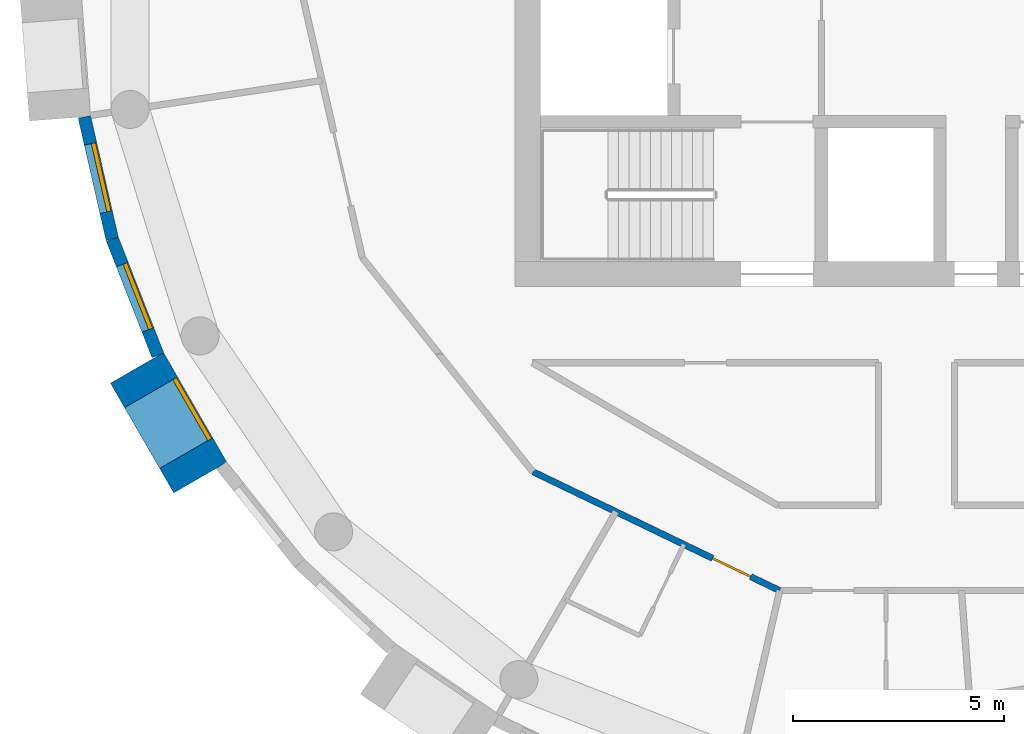
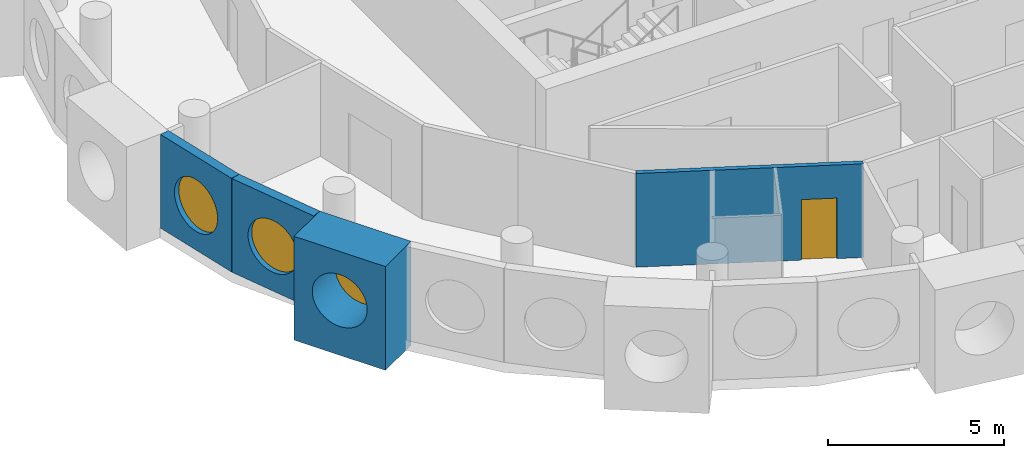
# One storey, part 2 of 13: 4 walls, 3 windows, 1 door, 4 openings.
"""IFC4 building model written with IfcOpenShell, lengths in metres."""

from ifc_helpers import new_model, si_unit, direction, frame, frame_2d, origin, origin_2d, place, context, subcontext, project, spatial, rectangle, circle, extrude, material, layer, layer_set, type_object, element, fill, save


model = new_model("IFC4")

# Units and contexts
model_context = context("Model", 3, precision=1e-05, world=origin(), true_north=direction((0.0, 1.0)))
body_context = subcontext(model_context, "Body", "Model", "MODEL_VIEW")
ifc_project = project(units=[si_unit("LENGTHUNIT", "METRE"), si_unit("AREAUNIT", "SQUARE_METRE"), si_unit("VOLUMEUNIT", "CUBIC_METRE"), si_unit("PLANEANGLEUNIT", "RADIAN"), si_unit("MASSUNIT", "GRAM", prefix="KILO")], contexts=[model_context])

# Site, building, storey
site_placement = place(None, origin())
site = spatial("IfcSite", under=ifc_project, at=site_placement, CompositionType="ELEMENT")
building_placement = place(site_placement, origin())
building = spatial("IfcBuilding", under=site, at=building_placement, Name="Tracery Tower", CompositionType="ELEMENT")
storey_placement = place(building_placement, frame((0.0, 0.0, 319.800048828125)))
storey = spatial("IfcBuildingStorey", under=building, at=storey_placement, Name="L83", CompositionType="ELEMENT", Elevation=319.800048828125)

# Wall, opening, window
ifc_material_1 = material(Name="Precast concrete C50/60", Category="concrete")
ifc_layer_1 = layer(ifc_material_1, 1.449951171875)
ifc_layer_set_1 = layer_set([ifc_layer_1], Name="Deep-set bay unit 3000 x 3600, slab edge 350")
wall_type_1 = type_object("IfcWallType", Name="Deep-set bay unit 3000 x 3600, slab edge 350", PredefinedType="ELEMENTEDWALL", material=ifc_layer_set_1)
wall_1_placement = place(storey_placement, frame((-18.452392578125, -8.92138671875, -0.35009765625), z_axis=(0.0, 0.0, 1.0), x_axis=(0.499990139034, -0.866031096941, 0.0)))
wall_1 = element("IfcWall", 1, at=wall_1_placement, inside=storey, type_object=wall_type_1, Name="Deep-set bay unit 25 at L83", PredefinedType="ELEMENTEDWALL", context=body_context, shape_type="SweptSolid", body=[
    extrude(rectangle(XDim=3.0, YDim=1.449951171875, at=frame_2d((1.5, 0.0))), origin(), (0.0, 0.0, 1.0), 3.60009765625),
])
opening_1_placement = place(wall_1_placement, frame((1.5, 0.0, 1.89990234375)))
opening_1 = element("IfcOpeningElement", 2, at=opening_1_placement, cuts=wall_1, Name="Opening WN1", PredefinedType="OPENING", context=body_context, shape_type="SweptSolid", body=[
    extrude(circle(Radius=0.9000244140625, at=origin_2d()), frame((0.0, 0.73486328125, 0.0), z_axis=(0.0, -1.0, 0.0), x_axis=(1.0, 0.0, 0.0)), (0.0, 0.0, 1.0), 1.469970703125),
])
ifc_material_2 = material(Name="Aluminium frame with tinted double glazing", Category="aluminium")
window_type = type_object("IfcWindowType", Name="Round window 1800", PartitioningType="SINGLE_PANEL", PredefinedType="WINDOW", material=ifc_material_2)
window_1_placement = place(opening_1_placement, origin())
window_1 = element("IfcWindow", 3, at=window_1_placement, inside=storey, type_object=window_type, Name="Round window 25 at L83", OverallHeight=1.800048828125, OverallWidth=1.800048828125, PartitioningType="SINGLE_PANEL", PredefinedType="WINDOW", context=body_context, shape_type="SweptSolid", body=[
    extrude(circle(Radius=0.9000244140625, at=origin_2d()), frame((0.0, 0.69482421875, 0.0), z_axis=(0.0, -1.0, 0.0), x_axis=(1.0, 0.0, 0.0)), (0.0, 0.0, 1.0), 0.10009765625),
])
fill(opening_1, window_1)

ifc_material_3 = material(Name="Precast concrete C50/60", Category="concrete")
ifc_layer_2 = layer(ifc_material_3, 0.300048828125)
ifc_layer_set_2 = layer_set([ifc_layer_2], Name="Facade panel 3000 x 3250")
wall_type_2 = type_object("IfcWallType", Name="Facade panel 3000 x 3250", PredefinedType="SOLIDWALL", material=ifc_layer_set_2)
wall_2_placement = place(storey_placement, frame((-19.69580078125, -2.984130859375, 0.0), z_axis=(0.0, 0.0, 1.0), x_axis=(0.222529389789, -0.974925982155, 0.0)))
wall_2 = element("IfcWall", 4, at=wall_2_placement, inside=storey, type_object=wall_type_2, Name="Facade panel 23 at L83", PredefinedType="SOLIDWALL", context=body_context, shape_type="SweptSolid", body=[
    extrude(rectangle(XDim=2.962158203125, YDim=0.300048828125, at=frame_2d((1.48095703125, 0.0))), origin(), (0.0, 0.0, 1.0), 3.25),
])
opening_2_placement = place(wall_2_placement, frame((1.48095703125, 0.0, 1.5498046875)))
opening_2 = element("IfcOpeningElement", 5, at=opening_2_placement, cuts=wall_2, Name="Opening WN1", PredefinedType="OPENING", context=body_context, shape_type="SweptSolid", body=[
    extrude(circle(Radius=0.9000244140625, at=origin_2d()), frame((0.0, 0.159912109375, 0.0), z_axis=(0.0, -1.0, 0.0), x_axis=(1.0, 0.0, 0.0)), (0.0, 0.0, 1.0), 0.320068359375),
])
window_2_placement = place(opening_2_placement, origin())
window_2 = element("IfcWindow", 6, at=window_2_placement, inside=storey, type_object=window_type, Name="Round window 23 at L83", OverallHeight=1.800048828125, OverallWidth=1.800048828125, PartitioningType="SINGLE_PANEL", PredefinedType="WINDOW", context=body_context, shape_type="SweptSolid", body=[
    extrude(circle(Radius=0.9000244140625, at=origin_2d()), frame((0.0, 0.1201171875, 0.0), z_axis=(0.0, -1.0, 0.0), x_axis=(1.0, 0.0, 0.0)), (0.0, 0.0, 1.0), 0.10009765625),
])
fill(opening_2, window_2)

wall_3_placement = place(storey_placement, frame((-19.03662109375, -5.8720703125, 0.0), z_axis=(0.0, 0.0, 1.0), x_axis=(0.36530043032, -0.930889679612, 0.0)))
wall_3 = element("IfcWall", 7, at=wall_3_placement, inside=storey, type_object=wall_type_2, Name="Facade panel 24 at L83", PredefinedType="SOLIDWALL", context=body_context, shape_type="SweptSolid", body=[
    extrude(rectangle(XDim=2.9619140625, YDim=0.300048828125, at=frame_2d((1.48095703125, 0.0))), origin(), (0.0, 0.0, 1.0), 3.25),
])
opening_3_placement = place(wall_3_placement, frame((1.48095703125, 0.0, 1.5498046875)))
opening_3 = element("IfcOpeningElement", 8, at=opening_3_placement, cuts=wall_3, Name="Opening WN1", PredefinedType="OPENING", context=body_context, shape_type="SweptSolid", body=[
    extrude(circle(Radius=0.9000244140625, at=origin_2d()), frame((0.0, 0.159912109375, 0.0), z_axis=(0.0, -1.0, 0.0), x_axis=(1.0, 0.0, 0.0)), (0.0, 0.0, 1.0), 0.320068359375),
])
window_3_placement = place(opening_3_placement, origin())
window_3 = element("IfcWindow", 9, at=window_3_placement, inside=storey, type_object=window_type, Name="Round window 24 at L83", OverallHeight=1.800048828125, OverallWidth=1.800048828125, PartitioningType="SINGLE_PANEL", PredefinedType="WINDOW", context=body_context, shape_type="SweptSolid", body=[
    extrude(circle(Radius=0.9000244140625, at=origin_2d()), frame((0.0, 0.1201171875, 0.0), z_axis=(0.0, -1.0, 0.0), x_axis=(1.0, 0.0, 0.0)), (0.0, 0.0, 1.0), 0.10009765625),
])
fill(opening_3, window_3)

# Wall, opening, door
ifc_material_4 = material(Name="Plasterboard on steel studs", Category="steel")
ifc_layer_3 = layer(ifc_material_4, 0.14990234375)
ifc_layer_set_3 = layer_set([ifc_layer_3], Name="Partition 150 corridor wall")
wall_type_3 = type_object("IfcWallType", Name="Partition 150 corridor wall", PredefinedType="PARTITIONING", material=ifc_layer_set_3)
wall_4_placement = place(storey_placement, frame((-9.075927734375, -11.381103515625, 0.0), z_axis=(0.0, 0.0, 1.0), x_axis=(0.900851590682, -0.434127183629, 0.0)))
wall_4 = element("IfcWall", 10, at=wall_4_placement, inside=storey, type_object=wall_type_3, Name="Corridor wall RC9-039", PredefinedType="PARTITIONING", context=body_context, shape_type="SweptSolid", body=[
    extrude(rectangle(XDim=6.478515625, YDim=0.14990234375, at=frame_2d((3.2392578125, 0.0))), origin(), (0.0, 0.0, 1.0), 3.25),
])
opening_4_placement = place(wall_4_placement, frame((4.718505859375, 0.0, 0.0)))
opening_4 = element("IfcOpeningElement", 11, at=opening_4_placement, cuts=wall_4, Name="Opening RC9-16", PredefinedType="OPENING", context=body_context, shape_type="SweptSolid", body=[
    extrude(rectangle(XDim=1.0, YDim=2.10009765625, at=frame_2d((0.5, 1.050048828125))), frame((0.0, 0.074951171875, 0.0), z_axis=(0.0, -1.0, 0.0), x_axis=(1.0, 0.0, 0.0)), (0.0, 0.0, 1.0), 0.14990234375),
])
ifc_material_5 = material(Name="Timber door leaf", Category="wood")
door_type = type_object("IfcDoorType", Name="Door unit entrance 1000", OperationType="NOTDEFINED", PredefinedType="DOOR", material=ifc_material_5)
door_placement = place(opening_4_placement, origin())
door = element("IfcDoor", 12, at=door_placement, inside=storey, type_object=door_type, Name="Unit entrance door RC9-16", OperationType="SINGLE_SWING_LEFT", OverallHeight=2.10009765625, OverallWidth=1.0, PredefinedType="DOOR", context=body_context, shape_type="SweptSolid", body=[
    extrude(rectangle(XDim=1.0, YDim=2.10009765625, at=frame_2d((0.5, 1.050048828125))), frame((0.0, 0.02490234375, 0.0), z_axis=(0.0, -1.0, 0.0), x_axis=(1.0, 0.0, 0.0)), (0.0, 0.0, 1.0), 0.050048828125),
])
fill(opening_4, door)

save(model, "model.ifc")
